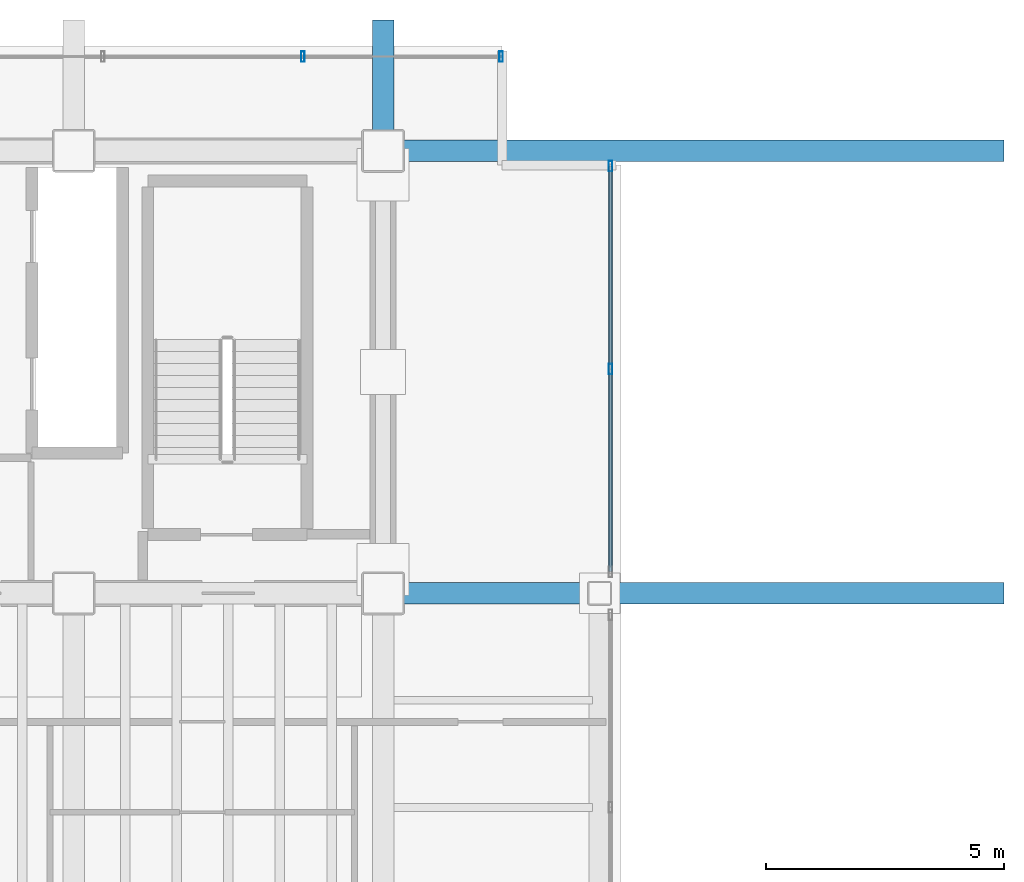
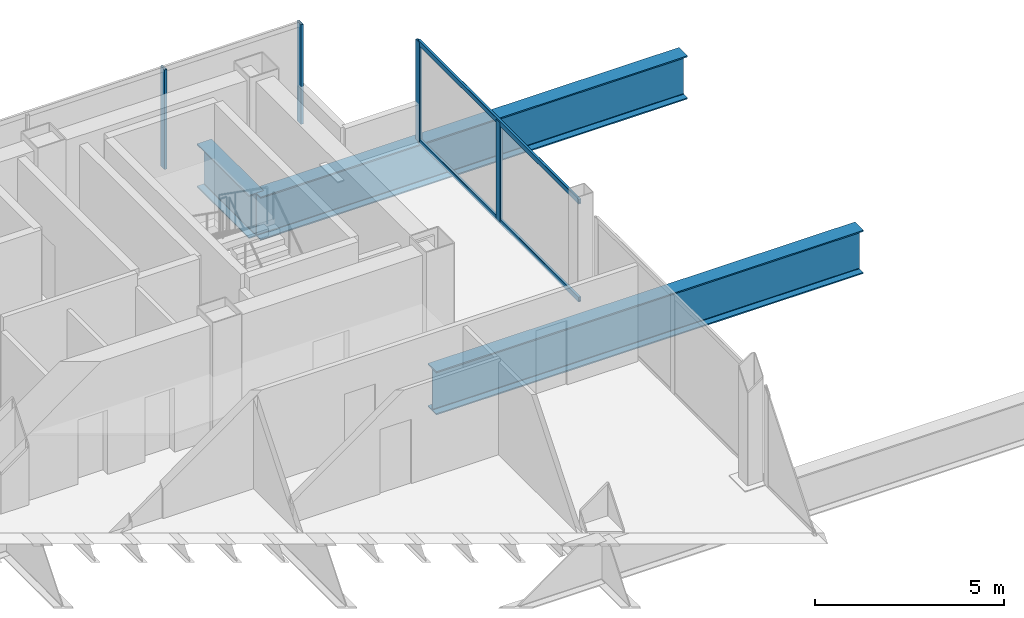
# One storey, part 20 of 24: 6 members, 3 beams, 2 elements without a shape of their own.
"""IFC4 building model written with IfcOpenShell, lengths in metres."""

from ifc_helpers import new_model, si_unit, direction, frame, origin, origin_2d, place, context, subcontext, project, spatial, hollow_rectangle, i_section, extrude, material, material_profile, profile_set, type_object, element, aggregate, save


model = new_model("IFC4")

# Units and contexts
model_context = context("Model", 3, precision=1e-05, world=origin(), true_north=direction((0.0, 1.0)))
body_context = subcontext(model_context, "Body", "Model", "MODEL_VIEW")
ifc_project = project(units=[si_unit("LENGTHUNIT", "METRE"), si_unit("AREAUNIT", "SQUARE_METRE"), si_unit("VOLUMEUNIT", "CUBIC_METRE"), si_unit("PLANEANGLEUNIT", "RADIAN"), si_unit("MASSUNIT", "GRAM", prefix="KILO")], contexts=[model_context])

# Site, building, storey
site_placement = place(None, origin())
site = spatial("IfcSite", under=ifc_project, at=site_placement, CompositionType="ELEMENT")
building_placement = place(site_placement, origin())
building = spatial("IfcBuilding", under=site, at=building_placement, Name="Noeulbin Bourse Tower", CompositionType="ELEMENT")
storey_placement = place(building_placement, frame((0.0, 0.0, 114.89990234375)))
storey = spatial("IfcBuildingStorey", under=building, at=storey_placement, Name="L28", CompositionType="ELEMENT", Elevation=114.89990234375)

# Beams
ifc_material_1 = material(Name="Steel S460", Category="steel")
ifc_material_profile_1 = material_profile(ifc_material_1, i_section(OverallWidth=0.449951171875, OverallDepth=1.39990234375, WebThickness=0.02392578125, FlangeThickness=0.0400390625, FilletRadius=0.02392578125, at=origin_2d()), Name="PG-1400x450x24x40", Category="LoadBearing")
ifc_profile_set_1 = profile_set([ifc_material_profile_1], Name="Steel S460")
beam_type = type_object("IfcBeamType", Name="BM-TRF-1400", PredefinedType="USERDEFINED", material=ifc_profile_set_1)
for number, where, z_axis, x_axis, name in (
    (1, (44.0, 29.0, -0.93994140625), (1.0, 0.0, 0.0), (0.0, 1.0, 0.0), "Tower Primary Girder EW L28-2.8"),
    (2, (44.0, 38.300048828125, -0.93994140625), (1.0, 0.0, 0.0), (0.0, 1.0, 0.0), "Tower Primary Girder EW L28-3.5"),
):
    element("IfcBeam", number, at=place(storey_placement, frame(where, z_axis=z_axis, x_axis=x_axis)), inside=storey, type_object=beam_type, Name=name, ObjectType="GIRDER", PredefinedType="USERDEFINED", context=body_context, shape_type="SweptSolid", body=[
        extrude(i_section(OverallWidth=0.449951171875, OverallDepth=1.39990234375, WebThickness=0.02392578125, FlangeThickness=0.0400390625, FilletRadius=0.02392578125, at=origin_2d()), origin(), (0.0, 0.0, 1.0), 13.050048828125),
    ])
beam_placement = place(storey_placement, frame((44.0, 38.300048828125, -0.93994140625), z_axis=(0.0, 1.0, 0.0), x_axis=(-1.0, 0.0, 0.0)))
element("IfcBeam", 3, at=beam_placement, inside=storey, type_object=beam_type, Name="Tower Primary Girder NS L28-5.4", ObjectType="GIRDER", PredefinedType="USERDEFINED", context=body_context, shape_type="SweptSolid", body=[
    extrude(i_section(OverallWidth=0.449951171875, OverallDepth=1.39990234375, WebThickness=0.02392578125, FlangeThickness=0.0400390625, FilletRadius=0.02392578125, at=origin_2d()), origin(), (0.0, 0.0, 1.0), 2.75),
])

# Curtain wall, members
ifc_material_2 = material(Name="Dark Tinted Triple Glazing", Category="glass")
curtain_wall_type = type_object("IfcCurtainWallType", Name="CW-SYS-3", PredefinedType="NOTDEFINED", material=ifc_material_2)
curtain_wall_1_placement = place(storey_placement, origin())
curtain_wall_1 = element("IfcCurtainWall", 4, at=curtain_wall_1_placement, inside=storey, type_object=curtain_wall_type, Name="Unitised Curtain Wall CW-L28-N", PredefinedType="NOTDEFINED")
ifc_material_3 = material(Name="Anodised Aluminium 6063-T6", Category="aluminium")
ifc_material_profile_2 = material_profile(ifc_material_3, hollow_rectangle(XDim=0.074951171875, YDim=0.219970703125, WallThickness=0.0048828125, InnerFilletRadius=0.00244140625, OuterFilletRadius=0.0048828125, at=origin_2d()), Name="ALU-MULL-75x220x5", Category="LoadBearing")
ifc_profile_set_2 = profile_set([ifc_material_profile_2], Name="Anodised Aluminium 6063-T6")
member_type_1 = type_object("IfcMemberType", Name="CW-SYS-3-MUL", PredefinedType="MULLION", material=ifc_profile_set_2)
member_1_placement = place(storey_placement, frame((42.31591796875, 40.280029296875, -0.02001953125), z_axis=(0.0, 0.0, 1.0), x_axis=(1.0, 0.0, 0.0)))
member_1 = element("IfcMember", 5, at=member_1_placement, type_object=member_type_1, Name="Curtain Wall Mullion CW-L28-N-M09", PredefinedType="MULLION", context=body_context, shape_type="SweptSolid", body=[
    extrude(hollow_rectangle(XDim=0.074951171875, YDim=0.219970703125, WallThickness=0.0048828125, InnerFilletRadius=0.00244140625, OuterFilletRadius=0.0048828125, at=origin_2d()), origin(), (0.0, 0.0, 1.0), 3.22021484375),
])
member_2_placement = place(storey_placement, frame((46.47998046875, 40.280029296875, -0.02001953125), z_axis=(0.0, 0.0, 1.0), x_axis=(1.0, 0.0, 0.0)))
member_2 = element("IfcMember", 6, at=member_2_placement, type_object=member_type_1, Name="Curtain Wall Mullion CW-L28-N-M10", PredefinedType="MULLION", context=body_context, shape_type="SweptSolid", body=[
    extrude(hollow_rectangle(XDim=0.074951171875, YDim=0.219970703125, WallThickness=0.0048828125, InnerFilletRadius=0.00244140625, OuterFilletRadius=0.0048828125, at=origin_2d()), origin(), (0.0, 0.0, 1.0), 3.22021484375),
])
aggregate(curtain_wall_1, [member_1, member_2])

curtain_wall_2_placement = place(storey_placement, origin())
curtain_wall_2 = element("IfcCurtainWall", 7, at=curtain_wall_2_placement, inside=storey, type_object=curtain_wall_type, Name="Unitised Curtain Wall CW-L28-E-S3", PredefinedType="NOTDEFINED")
member_3_placement = place(storey_placement, frame((48.780029296875, 33.715087890625, -0.02001953125), z_axis=(0.0, 0.0, 1.0), x_axis=(1.0, 0.0, 0.0)))
member_3 = element("IfcMember", 8, at=member_3_placement, type_object=member_type_1, Name="Curtain Wall Mullion CW-L28-E-S3-M01", PredefinedType="MULLION", context=body_context, shape_type="SweptSolid", body=[
    extrude(hollow_rectangle(XDim=0.074951171875, YDim=0.219970703125, WallThickness=0.0048828125, InnerFilletRadius=0.00244140625, OuterFilletRadius=0.0048828125, at=origin_2d()), origin(), (0.0, 0.0, 1.0), 3.22021484375),
])
member_4_placement = place(storey_placement, frame((48.780029296875, 37.97998046875, -0.02001953125), z_axis=(0.0, 0.0, 1.0), x_axis=(1.0, 0.0, 0.0)))
member_4 = element("IfcMember", 9, at=member_4_placement, type_object=member_type_1, Name="Curtain Wall Mullion CW-L28-E-S3-M02", PredefinedType="MULLION", context=body_context, shape_type="SweptSolid", body=[
    extrude(hollow_rectangle(XDim=0.074951171875, YDim=0.219970703125, WallThickness=0.0048828125, InnerFilletRadius=0.00244140625, OuterFilletRadius=0.0048828125, at=origin_2d()), origin(), (0.0, 0.0, 1.0), 3.22021484375),
])
ifc_material_profile_3 = material_profile(ifc_material_3, hollow_rectangle(XDim=0.074951171875, YDim=0.159912109375, WallThickness=0.0048828125, InnerFilletRadius=0.00244140625, OuterFilletRadius=0.0048828125, at=origin_2d()), Name="ALU-TRAN-75x160x5", Category="LoadBearing")
ifc_profile_set_3 = profile_set([ifc_material_profile_3], Name="Anodised Aluminium 6063-T6")
member_type_2 = type_object("IfcMemberType", Name="CW-SYS-3-TRN", PredefinedType="USERDEFINED", material=ifc_profile_set_3)
member_5_placement = place(storey_placement, frame((48.780029296875, 29.4599609375, 0.010009765625), z_axis=(0.0, 1.0, 0.0), x_axis=(-1.0, 0.0, 0.0)))
member_5 = element("IfcMember", 10, at=member_5_placement, type_object=member_type_2, Name="Curtain Wall Transom CW-L28-E-S3-T00", ObjectType="TRANSOM", PredefinedType="USERDEFINED", context=body_context, shape_type="SweptSolid", body=[
    extrude(hollow_rectangle(XDim=0.074951171875, YDim=0.159912109375, WallThickness=0.0048828125, InnerFilletRadius=0.00244140625, OuterFilletRadius=0.0048828125, at=origin_2d()), origin(), (0.0, 0.0, 1.0), 8.510009765625),
])
member_6_placement = place(storey_placement, frame((48.780029296875, 29.4599609375, 3.170166015625), z_axis=(0.0, 1.0, 0.0), x_axis=(-1.0, 0.0, 0.0)))
member_6 = element("IfcMember", 11, at=member_6_placement, type_object=member_type_2, Name="Curtain Wall Transom CW-L28-E-S3-T01", ObjectType="TRANSOM", PredefinedType="USERDEFINED", context=body_context, shape_type="SweptSolid", body=[
    extrude(hollow_rectangle(XDim=0.074951171875, YDim=0.159912109375, WallThickness=0.0048828125, InnerFilletRadius=0.00244140625, OuterFilletRadius=0.0048828125, at=origin_2d()), origin(), (0.0, 0.0, 1.0), 8.510009765625),
])
aggregate(curtain_wall_2, [member_3, member_4, member_5, member_6])

save(model, "model.ifc")
